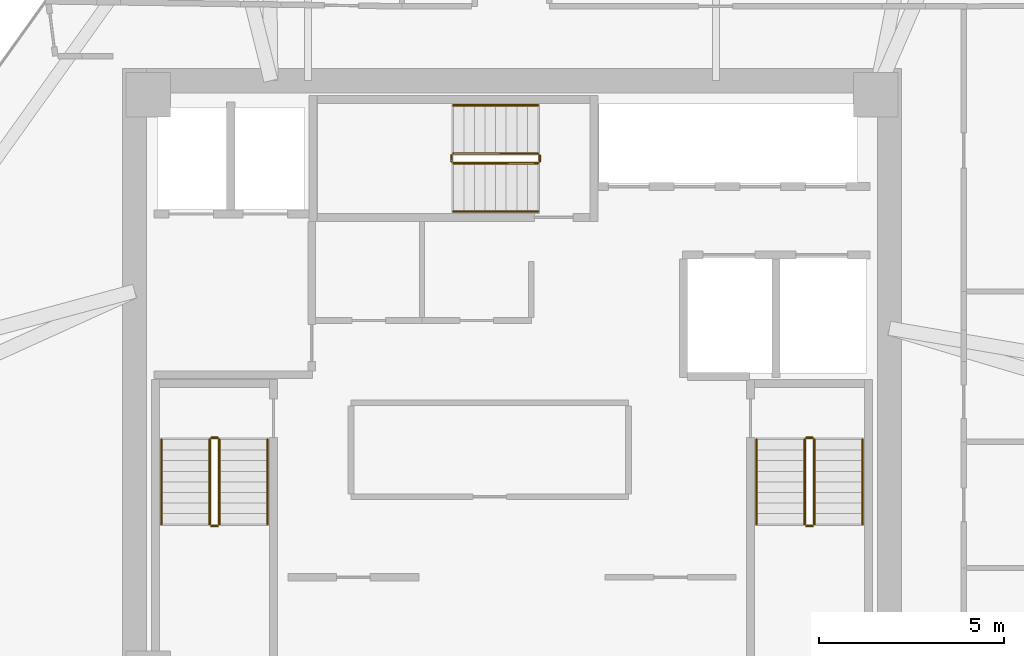
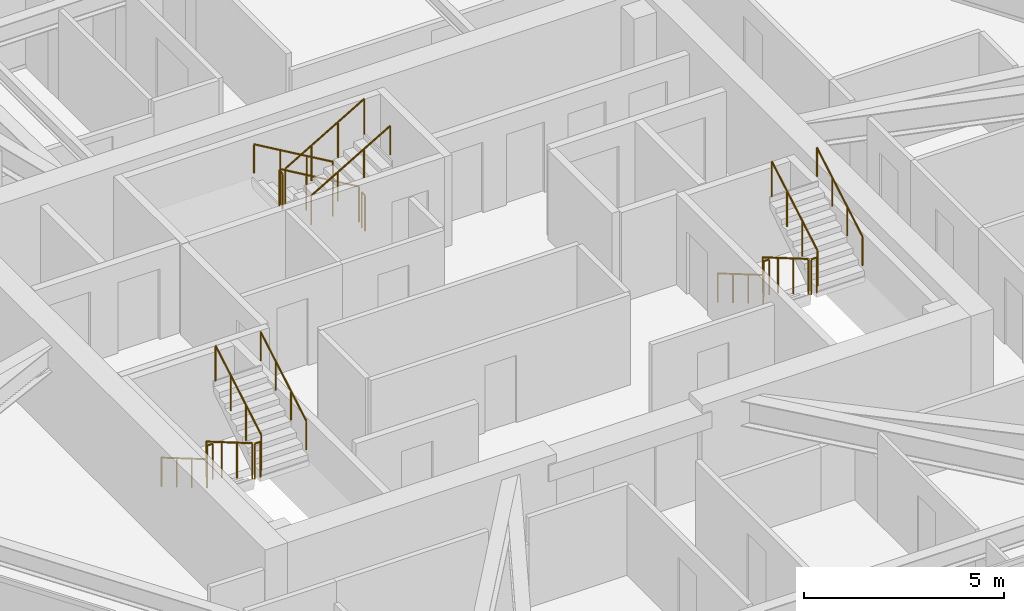
# One storey, part 14 of 14: 18 railings.
"""IFC4 building model written with IfcOpenShell, lengths in metres."""

from ifc_helpers import new_model, si_unit, direction, frame, origin, origin_2d, place, context, subcontext, project, spatial, circle, extrude, material, type_object, element, save


model = new_model("IFC4")

# Units and contexts
model_context = context("Model", 3, precision=1e-05, world=origin(), true_north=direction((0.0, 1.0)))
body_context = subcontext(model_context, "Body", "Model", "MODEL_VIEW")
ifc_project = project(units=[si_unit("LENGTHUNIT", "METRE"), si_unit("AREAUNIT", "SQUARE_METRE"), si_unit("VOLUMEUNIT", "CUBIC_METRE"), si_unit("PLANEANGLEUNIT", "RADIAN"), si_unit("MASSUNIT", "GRAM", prefix="KILO")], contexts=[model_context])

# Site, building, storey
site_placement = place(None, origin())
site = spatial("IfcSite", under=ifc_project, at=site_placement, CompositionType="ELEMENT")
building_placement = place(site_placement, origin())
building = spatial("IfcBuilding", under=site, at=building_placement, Name="Durnholm Broadcast Tower", CompositionType="ELEMENT")
storey_placement = place(building_placement, frame((0.0, 0.0, 200.199951171875)))
storey = spatial("IfcBuildingStorey", under=building, at=storey_placement, Name="L55", CompositionType="ELEMENT", Elevation=200.199951171875)

# Railings
ifc_material_1 = material(Name="Painted Tubular Steel Stair Guardrail", Category="steel")
railing_type_1 = type_object("IfcRailingType", Name="RAIL-ST-GRD", PredefinedType="GUARDRAIL", material=ifc_material_1)
railing_1_placement = place(storey_placement, frame((-8.14990234375, -1.5, 0.166748046875)))
element("IfcRailing", 1, at=railing_1_placement, inside=storey, type_object=railing_type_1, Name="L55 ST-1 stair guard 1", PredefinedType="GUARDRAIL", context=body_context, shape_type="SweptSolid", body=[
    extrude(circle(Radius=0.02392578125, at=origin_2d()), frame((0.0, 0.0, 1.076171875), z_axis=(0.0, -0.863245362884, 0.504784551527), x_axis=(1.0, 0.0, 0.0)), (0.0, 0.0, 1.0), 2.64111328125),
    extrude(circle(Radius=0.02099609375, at=origin_2d()), origin(), (0.0, 0.0, 1.0), 1.052001953125),
    extrude(circle(Radius=0.02099609375, at=origin_2d()), frame((0.0, -0.760009765625, 0.4443359375)), (0.0, 0.0, 1.0), 1.052001953125),
    extrude(circle(Radius=0.02099609375, at=origin_2d()), frame((0.0, -1.52001953125, 0.888916015625)), (0.0, 0.0, 1.0), 1.052001953125),
    extrude(circle(Radius=0.02099609375, at=origin_2d()), frame((0.0, -2.280029296875, 1.333251953125)), (0.0, 0.0, 1.0), 1.052001953125),
])
railing_2_placement = place(storey_placement, frame((-8.10009765625, -3.830078125, 1.5)))
element("IfcRailing", 2, at=railing_2_placement, inside=storey, type_object=railing_type_1, Name="L55 ST-1 stair guard 2", PredefinedType="GUARDRAIL", context=body_context, shape_type="SweptSolid", body=[
    extrude(circle(Radius=0.02392578125, at=origin_2d()), frame((0.0, 0.0, 1.076171875), z_axis=(1.0, 0.0, 0.0), x_axis=(0.0, 1.0, 0.0)), (0.0, 0.0, 1.0), 0.16015625),
    extrude(circle(Radius=0.02099609375, at=origin_2d()), origin(), (0.0, 0.0, 1.0), 1.052001953125),
    extrude(circle(Radius=0.02099609375, at=origin_2d()), frame((0.16015625, 0.0, 0.0)), (0.0, 0.0, 1.0), 1.052001953125),
])
railing_3_placement = place(storey_placement, frame((-7.889892578125, -3.780029296875, 1.666748046875)))
element("IfcRailing", 3, at=railing_3_placement, inside=storey, type_object=railing_type_1, Name="L55 ST-1 stair guard 3", PredefinedType="GUARDRAIL", context=body_context, shape_type="SweptSolid", body=[
    extrude(circle(Radius=0.02392578125, at=origin_2d()), frame((0.0, 0.0, 1.076171875), z_axis=(0.0, 0.863245362884, 0.504784551527), x_axis=(-1.0, 0.0, 0.0)), (0.0, 0.0, 1.0), 2.64111328125),
    extrude(circle(Radius=0.02099609375, at=origin_2d()), origin(), (0.0, 0.0, 1.0), 1.052001953125),
    extrude(circle(Radius=0.02099609375, at=origin_2d()), frame((0.0, 0.760009765625, 0.4443359375)), (0.0, 0.0, 1.0), 1.052001953125),
    extrude(circle(Radius=0.02099609375, at=origin_2d()), frame((0.0, 1.52001953125, 0.888916015625)), (0.0, 0.0, 1.0), 1.052001953125),
    extrude(circle(Radius=0.02099609375, at=origin_2d()), frame((0.0, 2.280029296875, 1.333251953125)), (0.0, 0.0, 1.0), 1.052001953125),
])
railing_4_placement = place(storey_placement, frame((-8.10009765625, -1.449951171875, 0.0)))
element("IfcRailing", 4, at=railing_4_placement, inside=storey, type_object=railing_type_1, Name="L55 ST-1 stair guard 4", PredefinedType="GUARDRAIL", context=body_context, shape_type="SweptSolid", body=[
    extrude(circle(Radius=0.02392578125, at=origin_2d()), frame((0.0, 0.0, 1.076171875), z_axis=(1.0, 0.0, 0.0), x_axis=(0.0, 1.0, 0.0)), (0.0, 0.0, 1.0), 0.16015625),
    extrude(circle(Radius=0.02099609375, at=origin_2d()), origin(), (0.0, 0.0, 1.0), 1.052001953125),
    extrude(circle(Radius=0.02099609375, at=origin_2d()), frame((0.16015625, 0.0, 0.0)), (0.0, 0.0, 1.0), 1.052001953125),
])
railing_5_placement = place(storey_placement, frame((7.889892578125, -1.5, 0.166748046875)))
element("IfcRailing", 5, at=railing_5_placement, inside=storey, type_object=railing_type_1, Name="L55 ST-2 stair guard 1", PredefinedType="GUARDRAIL", context=body_context, shape_type="SweptSolid", body=[
    extrude(circle(Radius=0.02392578125, at=origin_2d()), frame((0.0, 0.0, 1.076171875), z_axis=(0.0, -0.863245362884, 0.504784551527), x_axis=(1.0, 0.0, 0.0)), (0.0, 0.0, 1.0), 2.64111328125),
    extrude(circle(Radius=0.02099609375, at=origin_2d()), origin(), (0.0, 0.0, 1.0), 1.052001953125),
    extrude(circle(Radius=0.02099609375, at=origin_2d()), frame((0.0, -0.760009765625, 0.4443359375)), (0.0, 0.0, 1.0), 1.052001953125),
    extrude(circle(Radius=0.02099609375, at=origin_2d()), frame((0.0, -1.52001953125, 0.888916015625)), (0.0, 0.0, 1.0), 1.052001953125),
    extrude(circle(Radius=0.02099609375, at=origin_2d()), frame((0.0, -2.280029296875, 1.333251953125)), (0.0, 0.0, 1.0), 1.052001953125),
])
railing_6_placement = place(storey_placement, frame((7.93994140625, -3.830078125, 1.5)))
element("IfcRailing", 6, at=railing_6_placement, inside=storey, type_object=railing_type_1, Name="L55 ST-2 stair guard 2", PredefinedType="GUARDRAIL", context=body_context, shape_type="SweptSolid", body=[
    extrude(circle(Radius=0.02392578125, at=origin_2d()), frame((0.0, 0.0, 1.076171875), z_axis=(1.0, 0.0, 0.0), x_axis=(0.0, 1.0, 0.0)), (0.0, 0.0, 1.0), 0.16015625),
    extrude(circle(Radius=0.02099609375, at=origin_2d()), origin(), (0.0, 0.0, 1.0), 1.052001953125),
    extrude(circle(Radius=0.02099609375, at=origin_2d()), frame((0.16015625, 0.0, 0.0)), (0.0, 0.0, 1.0), 1.052001953125),
])
railing_7_placement = place(storey_placement, frame((8.14990234375, -3.780029296875, 1.666748046875)))
element("IfcRailing", 7, at=railing_7_placement, inside=storey, type_object=railing_type_1, Name="L55 ST-2 stair guard 3", PredefinedType="GUARDRAIL", context=body_context, shape_type="SweptSolid", body=[
    extrude(circle(Radius=0.02392578125, at=origin_2d()), frame((0.0, 0.0, 1.076171875), z_axis=(0.0, 0.863245362884, 0.504784551527), x_axis=(-1.0, 0.0, 0.0)), (0.0, 0.0, 1.0), 2.64111328125),
    extrude(circle(Radius=0.02099609375, at=origin_2d()), origin(), (0.0, 0.0, 1.0), 1.052001953125),
    extrude(circle(Radius=0.02099609375, at=origin_2d()), frame((0.0, 0.760009765625, 0.4443359375)), (0.0, 0.0, 1.0), 1.052001953125),
    extrude(circle(Radius=0.02099609375, at=origin_2d()), frame((0.0, 1.52001953125, 0.888916015625)), (0.0, 0.0, 1.0), 1.052001953125),
    extrude(circle(Radius=0.02099609375, at=origin_2d()), frame((0.0, 2.280029296875, 1.333251953125)), (0.0, 0.0, 1.0), 1.052001953125),
])
railing_8_placement = place(storey_placement, frame((7.93994140625, -1.449951171875, 0.0)))
element("IfcRailing", 8, at=railing_8_placement, inside=storey, type_object=railing_type_1, Name="L55 ST-2 stair guard 4", PredefinedType="GUARDRAIL", context=body_context, shape_type="SweptSolid", body=[
    extrude(circle(Radius=0.02392578125, at=origin_2d()), frame((0.0, 0.0, 1.076171875), z_axis=(1.0, 0.0, 0.0), x_axis=(0.0, 1.0, 0.0)), (0.0, 0.0, 1.0), 0.16015625),
    extrude(circle(Radius=0.02099609375, at=origin_2d()), origin(), (0.0, 0.0, 1.0), 1.052001953125),
    extrude(circle(Radius=0.02099609375, at=origin_2d()), frame((0.16015625, 0.0, 0.0)), (0.0, 0.0, 1.0), 1.052001953125),
])
railing_9_placement = place(storey_placement, frame((0.699951171875, 6.2099609375, 0.166748046875)))
element("IfcRailing", 9, at=railing_9_placement, inside=storey, type_object=railing_type_1, Name="L55 ST-3 stair guard 1", PredefinedType="GUARDRAIL", context=body_context, shape_type="SweptSolid", body=[
    extrude(circle(Radius=0.02392578125, at=origin_2d()), frame((0.0, 0.0, 1.076171875), z_axis=(-0.863245362884, 0.0, 0.504784551527), x_axis=(0.0, -1.0, 0.0)), (0.0, 0.0, 1.0), 2.64111328125),
    extrude(circle(Radius=0.02099609375, at=origin_2d()), origin(), (0.0, 0.0, 1.0), 1.052001953125),
    extrude(circle(Radius=0.02099609375, at=origin_2d()), frame((-0.760009765625, 0.0, 0.4443359375)), (0.0, 0.0, 1.0), 1.052001953125),
    extrude(circle(Radius=0.02099609375, at=origin_2d()), frame((-1.52001953125, 0.0, 0.888916015625)), (0.0, 0.0, 1.0), 1.052001953125),
    extrude(circle(Radius=0.02099609375, at=origin_2d()), frame((-2.280029296875, 0.0, 1.333251953125)), (0.0, 0.0, 1.0), 1.052001953125),
])
railing_10_placement = place(storey_placement, frame((-1.6298828125, 6.159912109375, 1.5)))
element("IfcRailing", 10, at=railing_10_placement, inside=storey, type_object=railing_type_1, Name="L55 ST-3 stair guard 2", PredefinedType="GUARDRAIL", context=body_context, shape_type="SweptSolid", body=[
    extrude(circle(Radius=0.02392578125, at=origin_2d()), frame((0.0, 0.0, 1.076171875), z_axis=(0.0, -1.0, 0.0), x_axis=(1.0, 0.0, 0.0)), (0.0, 0.0, 1.0), 0.159912109375),
    extrude(circle(Radius=0.02099609375, at=origin_2d()), origin(), (0.0, 0.0, 1.0), 1.052001953125),
    extrude(circle(Radius=0.02099609375, at=origin_2d()), frame((0.0, -0.159912109375, 0.0)), (0.0, 0.0, 1.0), 1.052001953125),
])
railing_11_placement = place(storey_placement, frame((-1.580078125, 5.949951171875, 1.666748046875)))
element("IfcRailing", 11, at=railing_11_placement, inside=storey, type_object=railing_type_1, Name="L55 ST-3 stair guard 3", PredefinedType="GUARDRAIL", context=body_context, shape_type="SweptSolid", body=[
    extrude(circle(Radius=0.02392578125, at=origin_2d()), frame((0.0, 0.0, 1.076171875), z_axis=(0.863245362884, 0.0, 0.504784551527), x_axis=(0.0, 1.0, 0.0)), (0.0, 0.0, 1.0), 2.64111328125),
    extrude(circle(Radius=0.02099609375, at=origin_2d()), origin(), (0.0, 0.0, 1.0), 1.052001953125),
    extrude(circle(Radius=0.02099609375, at=origin_2d()), frame((0.760009765625, 0.0, 0.4443359375)), (0.0, 0.0, 1.0), 1.052001953125),
    extrude(circle(Radius=0.02099609375, at=origin_2d()), frame((1.52001953125, 0.0, 0.888916015625)), (0.0, 0.0, 1.0), 1.052001953125),
    extrude(circle(Radius=0.02099609375, at=origin_2d()), frame((2.280029296875, 0.0, 1.333251953125)), (0.0, 0.0, 1.0), 1.052001953125),
])
railing_12_placement = place(storey_placement, frame((0.75, 6.159912109375, 0.0)))
element("IfcRailing", 12, at=railing_12_placement, inside=storey, type_object=railing_type_1, Name="L55 ST-3 stair guard 4", PredefinedType="GUARDRAIL", context=body_context, shape_type="SweptSolid", body=[
    extrude(circle(Radius=0.02392578125, at=origin_2d()), frame((0.0, 0.0, 1.076171875), z_axis=(0.0, -1.0, 0.0), x_axis=(1.0, 0.0, 0.0)), (0.0, 0.0, 1.0), 0.159912109375),
    extrude(circle(Radius=0.02099609375, at=origin_2d()), origin(), (0.0, 0.0, 1.0), 1.052001953125),
    extrude(circle(Radius=0.02099609375, at=origin_2d()), frame((0.0, -0.159912109375, 0.0)), (0.0, 0.0, 1.0), 1.052001953125),
])
ifc_material_2 = material(Name="Brushed Stainless Steel Handrail", Category="steel")
railing_type_2 = type_object("IfcRailingType", Name="RAIL-ST-HND", PredefinedType="HANDRAIL", material=ifc_material_2)
railing_13_placement = place(storey_placement, frame((-9.449951171875, -1.5, 0.33349609375)))
element("IfcRailing", 13, at=railing_13_placement, inside=storey, type_object=railing_type_2, Name="L55 ST-1 stair handrail 1", PredefinedType="HANDRAIL", context=body_context, shape_type="SweptSolid", body=[
    extrude(circle(Radius=0.02392578125, at=origin_2d()), frame((0.0, 0.0, 0.8759765625), z_axis=(0.0, -0.863245362884, 0.504784551527), x_axis=(1.0, 0.0, 0.0)), (0.0, 0.0, 1.0), 2.64111328125),
    extrude(circle(Radius=0.02099609375, at=origin_2d()), origin(), (0.0, 0.0, 1.0), 0.851806640625),
    extrude(circle(Radius=0.02099609375, at=origin_2d()), frame((0.0, -0.760009765625, 0.4443359375)), (0.0, 0.0, 1.0), 0.851806640625),
    extrude(circle(Radius=0.02099609375, at=origin_2d()), frame((0.0, -1.52001953125, 0.888916015625)), (0.0, 0.0, 1.0), 0.851806640625),
    extrude(circle(Radius=0.02099609375, at=origin_2d()), frame((0.0, -2.280029296875, 1.333251953125)), (0.0, 0.0, 1.0), 0.851806640625),
])
railing_14_placement = place(storey_placement, frame((-6.590087890625, -3.780029296875, 1.83349609375)))
element("IfcRailing", 14, at=railing_14_placement, inside=storey, type_object=railing_type_2, Name="L55 ST-1 stair handrail 2", PredefinedType="HANDRAIL", context=body_context, shape_type="SweptSolid", body=[
    extrude(circle(Radius=0.02392578125, at=origin_2d()), frame((0.0, 0.0, 0.8759765625), z_axis=(0.0, 0.863245362884, 0.504784551527), x_axis=(-1.0, 0.0, 0.0)), (0.0, 0.0, 1.0), 2.64111328125),
    extrude(circle(Radius=0.02099609375, at=origin_2d()), origin(), (0.0, 0.0, 1.0), 0.851806640625),
    extrude(circle(Radius=0.02099609375, at=origin_2d()), frame((0.0, 0.760009765625, 0.4443359375)), (0.0, 0.0, 1.0), 0.851806640625),
    extrude(circle(Radius=0.02099609375, at=origin_2d()), frame((0.0, 1.52001953125, 0.888916015625)), (0.0, 0.0, 1.0), 0.851806640625),
    extrude(circle(Radius=0.02099609375, at=origin_2d()), frame((0.0, 2.280029296875, 1.333251953125)), (0.0, 0.0, 1.0), 0.851806640625),
])
railing_15_placement = place(storey_placement, frame((6.590087890625, -1.5, 0.33349609375)))
element("IfcRailing", 15, at=railing_15_placement, inside=storey, type_object=railing_type_2, Name="L55 ST-2 stair handrail 1", PredefinedType="HANDRAIL", context=body_context, shape_type="SweptSolid", body=[
    extrude(circle(Radius=0.02392578125, at=origin_2d()), frame((0.0, 0.0, 0.8759765625), z_axis=(0.0, -0.863245362884, 0.504784551527), x_axis=(1.0, 0.0, 0.0)), (0.0, 0.0, 1.0), 2.64111328125),
    extrude(circle(Radius=0.02099609375, at=origin_2d()), origin(), (0.0, 0.0, 1.0), 0.851806640625),
    extrude(circle(Radius=0.02099609375, at=origin_2d()), frame((0.0, -0.760009765625, 0.4443359375)), (0.0, 0.0, 1.0), 0.851806640625),
    extrude(circle(Radius=0.02099609375, at=origin_2d()), frame((0.0, -1.52001953125, 0.888916015625)), (0.0, 0.0, 1.0), 0.851806640625),
    extrude(circle(Radius=0.02099609375, at=origin_2d()), frame((0.0, -2.280029296875, 1.333251953125)), (0.0, 0.0, 1.0), 0.851806640625),
])
railing_16_placement = place(storey_placement, frame((9.449951171875, -3.780029296875, 1.83349609375)))
element("IfcRailing", 16, at=railing_16_placement, inside=storey, type_object=railing_type_2, Name="L55 ST-2 stair handrail 2", PredefinedType="HANDRAIL", context=body_context, shape_type="SweptSolid", body=[
    extrude(circle(Radius=0.02392578125, at=origin_2d()), frame((0.0, 0.0, 0.8759765625), z_axis=(0.0, 0.863245362884, 0.504784551527), x_axis=(-1.0, 0.0, 0.0)), (0.0, 0.0, 1.0), 2.64111328125),
    extrude(circle(Radius=0.02099609375, at=origin_2d()), origin(), (0.0, 0.0, 1.0), 0.851806640625),
    extrude(circle(Radius=0.02099609375, at=origin_2d()), frame((0.0, 0.760009765625, 0.4443359375)), (0.0, 0.0, 1.0), 0.851806640625),
    extrude(circle(Radius=0.02099609375, at=origin_2d()), frame((0.0, 1.52001953125, 0.888916015625)), (0.0, 0.0, 1.0), 0.851806640625),
    extrude(circle(Radius=0.02099609375, at=origin_2d()), frame((0.0, 2.280029296875, 1.333251953125)), (0.0, 0.0, 1.0), 0.851806640625),
])
railing_17_placement = place(storey_placement, frame((0.699951171875, 7.510009765625, 0.33349609375)))
element("IfcRailing", 17, at=railing_17_placement, inside=storey, type_object=railing_type_2, Name="L55 ST-3 stair handrail 1", PredefinedType="HANDRAIL", context=body_context, shape_type="SweptSolid", body=[
    extrude(circle(Radius=0.02392578125, at=origin_2d()), frame((0.0, 0.0, 0.8759765625), z_axis=(-0.863245362884, 0.0, 0.504784551527), x_axis=(0.0, -1.0, 0.0)), (0.0, 0.0, 1.0), 2.64111328125),
    extrude(circle(Radius=0.02099609375, at=origin_2d()), origin(), (0.0, 0.0, 1.0), 0.851806640625),
    extrude(circle(Radius=0.02099609375, at=origin_2d()), frame((-0.760009765625, 0.0, 0.4443359375)), (0.0, 0.0, 1.0), 0.851806640625),
    extrude(circle(Radius=0.02099609375, at=origin_2d()), frame((-1.52001953125, 0.0, 0.888916015625)), (0.0, 0.0, 1.0), 0.851806640625),
    extrude(circle(Radius=0.02099609375, at=origin_2d()), frame((-2.280029296875, 0.0, 1.333251953125)), (0.0, 0.0, 1.0), 0.851806640625),
])
railing_18_placement = place(storey_placement, frame((-1.580078125, 4.64990234375, 1.83349609375)))
element("IfcRailing", 18, at=railing_18_placement, inside=storey, type_object=railing_type_2, Name="L55 ST-3 stair handrail 2", PredefinedType="HANDRAIL", context=body_context, shape_type="SweptSolid", body=[
    extrude(circle(Radius=0.02392578125, at=origin_2d()), frame((0.0, 0.0, 0.8759765625), z_axis=(0.863245362884, 0.0, 0.504784551527), x_axis=(0.0, 1.0, 0.0)), (0.0, 0.0, 1.0), 2.64111328125),
    extrude(circle(Radius=0.02099609375, at=origin_2d()), origin(), (0.0, 0.0, 1.0), 0.851806640625),
    extrude(circle(Radius=0.02099609375, at=origin_2d()), frame((0.760009765625, 0.0, 0.4443359375)), (0.0, 0.0, 1.0), 0.851806640625),
    extrude(circle(Radius=0.02099609375, at=origin_2d()), frame((1.52001953125, 0.0, 0.888916015625)), (0.0, 0.0, 1.0), 0.851806640625),
    extrude(circle(Radius=0.02099609375, at=origin_2d()), frame((2.280029296875, 0.0, 1.333251953125)), (0.0, 0.0, 1.0), 0.851806640625),
])

save(model, "model.ifc")
